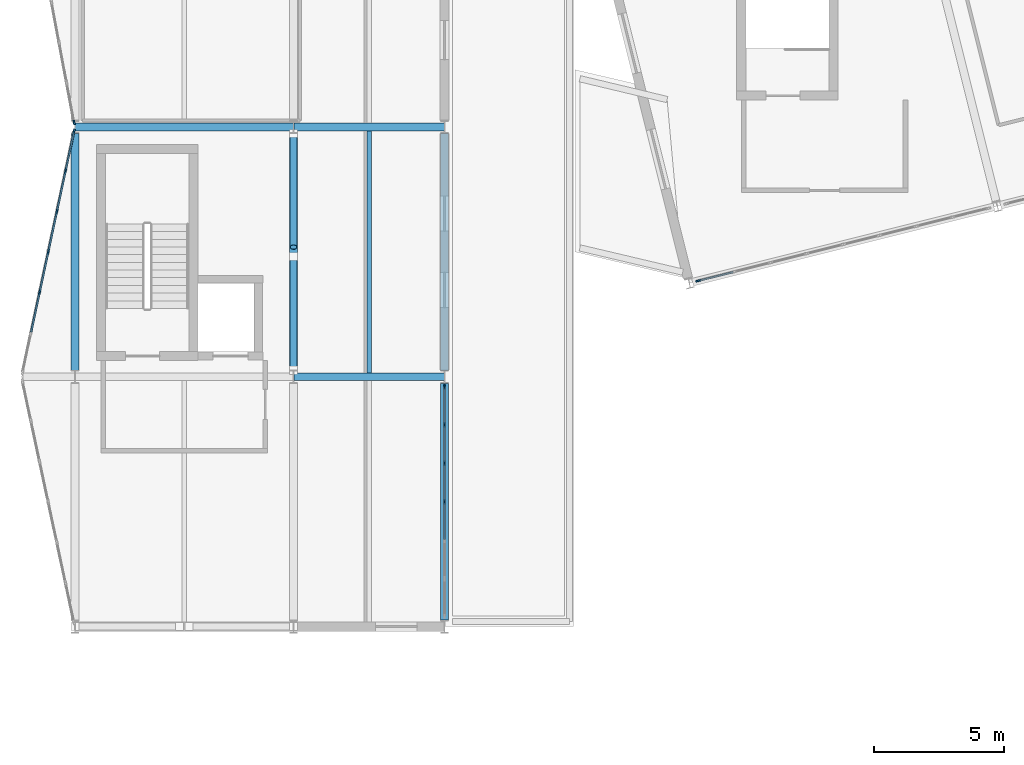
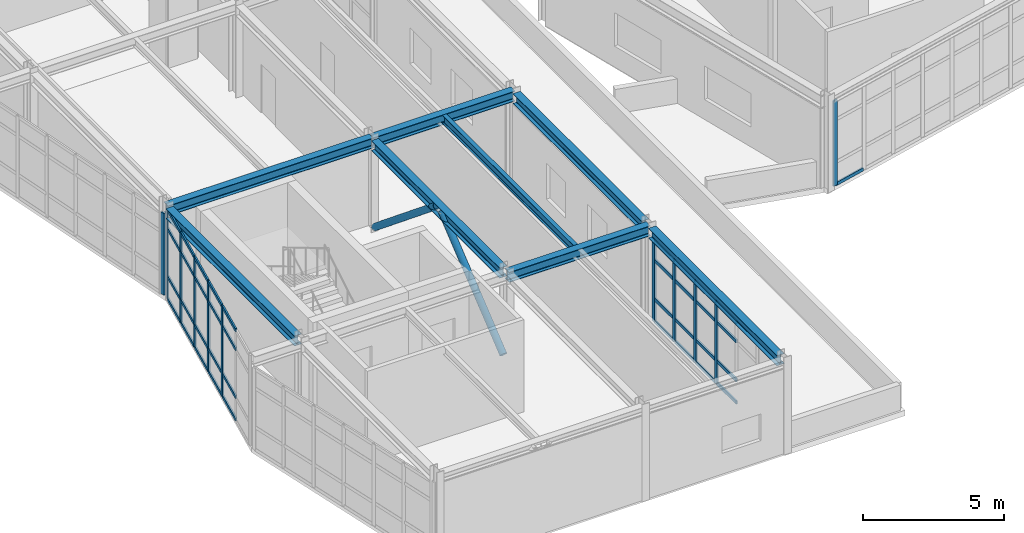
# One storey, part 11 of 64: 50 members, 8 beams, 4 elements without a shape of their own.
"""IFC4 building model written with IfcOpenShell, lengths in metres."""

from ifc_helpers import new_model, si_unit, direction, frame, origin, origin_2d, place, context, subcontext, project, spatial, rectangle, hollow_circle, i_section, extrude, material, layer, layer_set, material_profile, profile_set, type_object, element, aggregate, save


model = new_model("IFC4")

# Units and contexts
model_context = context("Model", 3, precision=1e-05, world=origin(), true_north=direction((0.0, 1.0)))
body_context = subcontext(model_context, "Body", "Model", "MODEL_VIEW")
ifc_project = project(units=[si_unit("LENGTHUNIT", "METRE"), si_unit("AREAUNIT", "SQUARE_METRE"), si_unit("VOLUMEUNIT", "CUBIC_METRE"), si_unit("PLANEANGLEUNIT", "RADIAN"), si_unit("MASSUNIT", "GRAM", prefix="KILO")], contexts=[model_context])

# Site, building, storey
site_placement = place(None, origin())
site = spatial("IfcSite", under=ifc_project, at=site_placement, CompositionType="ELEMENT")
building_placement = place(site_placement, origin())
building = spatial("IfcBuilding", under=site, at=building_placement, Name="Nordkorset Police Headquarters", CompositionType="ELEMENT")
storey_placement = place(building_placement, frame((0.0, 0.0, 17.85009765625)))
storey = spatial("IfcBuildingStorey", under=building, at=storey_placement, Name="L04", CompositionType="ELEMENT", Elevation=17.85009765625)

# Beam
ifc_material_1 = material(Name="Steel S355J2", Category="steel")
ifc_material_profile_1 = material_profile(ifc_material_1, i_section(OverallWidth=0.169921875, OverallDepth=0.360107421875, WebThickness=0.008056640625, FlangeThickness=0.0126953125, FilletRadius=0.01806640625, at=origin_2d()), Name="IPE 360")
ifc_profile_set_1 = profile_set([ifc_material_profile_1], Name="Steel S355J2")
beam_type_1 = type_object("IfcBeamType", Name="Beam_IPE_360", PredefinedType="BEAM", material=ifc_profile_set_1)
beam_1_placement = place(storey_placement, frame((11.300048828125, 38.550048828125, 3.809814453125), z_axis=(0.0, 1.0, 0.0), x_axis=(-1.0, 0.0, 0.0)))
element("IfcBeam", 1, at=beam_1_placement, inside=storey, type_object=beam_type_1, Name="Composite Floor Beam V3 L04 1-1-1", PredefinedType="BEAM", context=body_context, shape_type="SweptSolid", body=[
    extrude(i_section(OverallWidth=0.169921875, OverallDepth=0.360107421875, WebThickness=0.008056640625, FlangeThickness=0.0126953125, FilletRadius=0.01806640625, at=origin_2d()), origin(), (0.0, 0.0, 1.0), 9.300048828125),
])

# Members
ifc_material_2 = material(Name="Steel S355J2", Category="steel")
ifc_material_profile_2 = material_profile(ifc_material_2, hollow_circle(Radius=0.136474609375, WallThickness=0.012451171875, at=origin_2d()), Name="CHS 273x12.5")
ifc_profile_set_2 = profile_set([ifc_material_profile_2], Name="Steel S355J2")
member_type_1 = type_object("IfcMemberType", Name="Brace_CHS_273x12.5", PredefinedType="BRACE", material=ifc_profile_set_2)
for number, where, z_axis, x_axis, name in (
    (2, (8.39990234375, 38.64990234375, 0.199951171875), (0.0, 0.774433203284, 0.632655683331), (-1.0, 0.0, 0.0), "Lateral Chevron Brace BF-V3-A L04 D1"),
    (3, (8.39990234375, 47.75, 0.199951171875), (0.0, -0.774433203284, 0.632655683331), (1.0, 0.0, 0.0), "Lateral Chevron Brace BF-V3-A L04 D2"),
):
    element("IfcMember", number, at=place(storey_placement, frame(where, z_axis=z_axis, x_axis=x_axis)), inside=storey, type_object=member_type_1, Name=name, PredefinedType="BRACE", context=body_context, shape_type="SweptSolid", body=[
        extrude(hollow_circle(Radius=0.136474609375, WallThickness=0.012451171875, at=origin_2d()), origin(), (0.0, 0.0, 1.0), 5.64306640625),
    ])

# Curtain wall, members
ifc_material_3 = material(Name="Aluminium alloy AW-6060", Category="aluminium")
ifc_layer_1 = layer(ifc_material_3, 0.179931640625, Name="Aluminium alloy AW-6060")
ifc_layer_set_1 = layer_set([ifc_layer_1], Name="Aluminium alloy AW-6060")
curtain_wall_type_1 = type_object("IfcCurtainWallType", Name="CW_Unit_888x353", PredefinedType="USERDEFINED", material=ifc_layer_set_1)
curtain_wall_1_placement = place(storey_placement, origin())
curtain_wall_1 = element("IfcCurtainWall", 4, at=curtain_wall_1_placement, inside=storey, type_object=curtain_wall_type_1, Name="Unitised Curtain Wall L04 V3E-0", ObjectType="UNITISED CURTAIN WALL", PredefinedType="USERDEFINED")
ifc_material_4 = material(Name="Aluminium alloy AW-6060", Category="aluminium")
ifc_material_profile_3 = material_profile(ifc_material_4, rectangle(XDim=0.06494140625, YDim=0.179931640625, at=origin_2d()), Name="ALU MULL 65x180")
ifc_profile_set_3 = profile_set([ifc_material_profile_3], Name="Aluminium alloy AW-6060")
member_type_2 = type_object("IfcMemberType", Name="CW_Mullion_65x180", PredefinedType="MULLION", material=ifc_profile_set_3)
member_1_placement = place(storey_placement, frame((14.199951171875, 33.60009765625, 0.0), z_axis=(0.0, 0.0, 1.0), x_axis=(-1.0, 0.0, 0.0)))
member_1 = element("IfcMember", 5, at=member_1_placement, type_object=member_type_2, Name="CW-52 mullion 4", PredefinedType="MULLION", context=body_context, shape_type="SweptSolid", body=[
    extrude(rectangle(XDim=0.06494140625, YDim=0.179931640625, at=origin_2d()), origin(), (0.0, 0.0, 1.0), 3.52978515625),
])
member_2_placement = place(storey_placement, frame((14.199951171875, 35.080078125, 0.0), z_axis=(0.0, 0.0, 1.0), x_axis=(-1.0, 0.0, 0.0)))
member_2 = element("IfcMember", 6, at=member_2_placement, type_object=member_type_2, Name="CW-52 mullion 5", PredefinedType="MULLION", context=body_context, shape_type="SweptSolid", body=[
    extrude(rectangle(XDim=0.06494140625, YDim=0.179931640625, at=origin_2d()), origin(), (0.0, 0.0, 1.0), 3.52978515625),
])
member_3_placement = place(storey_placement, frame((14.199951171875, 36.56005859375, 0.0), z_axis=(0.0, 0.0, 1.0), x_axis=(-1.0, 0.0, 0.0)))
member_3 = element("IfcMember", 7, at=member_3_placement, type_object=member_type_2, Name="CW-52 mullion 6", PredefinedType="MULLION", context=body_context, shape_type="SweptSolid", body=[
    extrude(rectangle(XDim=0.06494140625, YDim=0.179931640625, at=origin_2d()), origin(), (0.0, 0.0, 1.0), 3.52978515625),
])
member_4_placement = place(storey_placement, frame((14.199951171875, 38.007568359375, 0.0), z_axis=(0.0, 0.0, 1.0), x_axis=(-1.0, 0.0, 0.0)))
member_4 = element("IfcMember", 8, at=member_4_placement, type_object=member_type_2, Name="CW-52 mullion 7", PredefinedType="MULLION", context=body_context, shape_type="SweptSolid", body=[
    extrude(rectangle(XDim=0.06494140625, YDim=0.179931640625, at=origin_2d()), origin(), (0.0, 0.0, 1.0), 3.52978515625),
])

ifc_material_5 = material(Name="Aluminium alloy AW-6060", Category="aluminium")
ifc_layer_2 = layer(ifc_material_5, 0.179931640625, Name="Aluminium alloy AW-6060")
ifc_layer_set_2 = layer_set([ifc_layer_2], Name="Aluminium alloy AW-6060")
curtain_wall_type_2 = type_object("IfcCurtainWallType", Name="CW_Unit_954x392", PredefinedType="USERDEFINED", material=ifc_layer_set_2)
curtain_wall_2_placement = place(storey_placement, origin())
curtain_wall_2 = element("IfcCurtainWall", 9, at=curtain_wall_2_placement, inside=storey, type_object=curtain_wall_type_2, Name="Unitised Curtain Wall L04 V3W-1", ObjectType="UNITISED CURTAIN WALL", PredefinedType="USERDEFINED")
member_5_placement = place(storey_placement, frame((-1.35693359375, 41.645751953125, 0.0), z_axis=(0.0, 0.0, 1.0), x_axis=(-0.977951416289, 0.208832534289, 0.0)))
member_5 = element("IfcMember", 10, at=member_5_placement, type_object=member_type_2, Name="CW-20 mullion 3", PredefinedType="MULLION", context=body_context, shape_type="SweptSolid", body=[
    extrude(rectangle(XDim=0.06494140625, YDim=0.179931640625, at=origin_2d()), origin(), (0.0, 0.0, 1.0), 3.919921875),
])
member_6_placement = place(storey_placement, frame((-1.02490234375, 43.199951171875, 0.0), z_axis=(0.0, 0.0, 1.0), x_axis=(-0.977951416289, 0.208832534289, 0.0)))
member_6 = element("IfcMember", 11, at=member_6_placement, type_object=member_type_2, Name="CW-20 mullion 4", PredefinedType="MULLION", context=body_context, shape_type="SweptSolid", body=[
    extrude(rectangle(XDim=0.06494140625, YDim=0.179931640625, at=origin_2d()), origin(), (0.0, 0.0, 1.0), 3.919921875),
])
member_7_placement = place(storey_placement, frame((-0.693115234375, 44.75439453125, 0.0), z_axis=(0.0, 0.0, 1.0), x_axis=(-0.977951416289, 0.208832534289, 0.0)))
member_7 = element("IfcMember", 12, at=member_7_placement, type_object=member_type_2, Name="CW-20 mullion 5", PredefinedType="MULLION", context=body_context, shape_type="SweptSolid", body=[
    extrude(rectangle(XDim=0.06494140625, YDim=0.179931640625, at=origin_2d()), origin(), (0.0, 0.0, 1.0), 3.919921875),
])
member_8_placement = place(storey_placement, frame((-0.361083984375, 46.308837890625, 0.0), z_axis=(0.0, 0.0, 1.0), x_axis=(-0.977951416289, 0.208832534289, 0.0)))
member_8 = element("IfcMember", 13, at=member_8_placement, type_object=member_type_2, Name="CW-20 mullion 6", PredefinedType="MULLION", context=body_context, shape_type="SweptSolid", body=[
    extrude(rectangle(XDim=0.06494140625, YDim=0.179931640625, at=origin_2d()), origin(), (0.0, 0.0, 1.0), 3.919921875),
])
member_9_placement = place(storey_placement, frame((-0.0361328125, 47.831298828125, 0.0), z_axis=(0.0, 0.0, 1.0), x_axis=(-0.977951416289, 0.208832534289, 0.0)))
member_9 = element("IfcMember", 14, at=member_9_placement, type_object=member_type_2, Name="CW-20 mullion 7", PredefinedType="MULLION", context=body_context, shape_type="SweptSolid", body=[
    extrude(rectangle(XDim=0.06494140625, YDim=0.179931640625, at=origin_2d()), origin(), (0.0, 0.0, 1.0), 3.919921875),
])

# Curtain wall, member
ifc_material_6 = material(Name="Aluminium alloy AW-6060", Category="aluminium")
ifc_layer_3 = layer(ifc_material_6, 0.179931640625, Name="Aluminium alloy AW-6060")
ifc_layer_set_3 = layer_set([ifc_layer_3], Name="Aluminium alloy AW-6060")
curtain_wall_type_3 = type_object("IfcCurtainWallType", Name="CW_Unit_949x353", PredefinedType="USERDEFINED", material=ifc_layer_set_3)
curtain_wall_3_placement = place(storey_placement, origin())
curtain_wall_3 = element("IfcCurtainWall", 15, at=curtain_wall_3_placement, inside=storey, type_object=curtain_wall_type_3, Name="Unitised Curtain Wall L04 V3W-2", ObjectType="UNITISED CURTAIN WALL", PredefinedType="USERDEFINED")
member_10_placement = place(storey_placement, frame((-0.03173828125, 48.16943359375, 0.0), z_axis=(0.0, 0.0, 1.0), x_axis=(-0.982872186935, -0.184288535048, 0.0)))
member_10 = element("IfcMember", 16, at=member_10_placement, type_object=member_type_2, Name="CW-13 mullion 1", PredefinedType="MULLION", context=body_context, shape_type="SweptSolid", body=[
    extrude(rectangle(XDim=0.06494140625, YDim=0.179931640625, at=origin_2d()), origin(), (0.0, 0.0, 1.0), 3.52978515625),
])
aggregate(curtain_wall_3, [member_10])

ifc_material_7 = material(Name="Aluminium alloy AW-6060", Category="aluminium")
ifc_layer_4 = layer(ifc_material_7, 0.179931640625, Name="Aluminium alloy AW-6060")
ifc_layer_set_4 = layer_set([ifc_layer_4], Name="Aluminium alloy AW-6060")
curtain_wall_type_4 = type_object("IfcCurtainWallType", Name="CW_Unit_1156x369", PredefinedType="USERDEFINED", material=ifc_layer_set_4)
curtain_wall_4_placement = place(storey_placement, origin())
curtain_wall_4 = element("IfcCurtainWall", 17, at=curtain_wall_4_placement, inside=storey, type_object=curtain_wall_type_4, Name="Unitised Curtain Wall L04 V4S-0", ObjectType="UNITISED CURTAIN WALL", PredefinedType="USERDEFINED")
member_11_placement = place(storey_placement, frame((23.94189453125, 42.08544921875, 0.0), z_axis=(0.0, 0.0, 1.0), x_axis=(-0.242535625038, 0.970142500145, 0.0)))
member_11 = element("IfcMember", 18, at=member_11_placement, type_object=member_type_2, Name="CW-06 mullion 1", PredefinedType="MULLION", context=body_context, shape_type="SweptSolid", body=[
    extrude(rectangle(XDim=0.06494140625, YDim=0.179931640625, at=origin_2d()), origin(), (0.0, 0.0, 1.0), 3.69091796875),
])

# Member
ifc_material_8 = material(Name="Aluminium alloy AW-6060", Category="aluminium")
ifc_material_profile_4 = material_profile(ifc_material_8, rectangle(XDim=0.06494140625, YDim=0.139892578125, at=origin_2d()), Name="ALU TRAN 65x140")
ifc_profile_set_4 = profile_set([ifc_material_profile_4], Name="Aluminium alloy AW-6060")
member_type_3 = type_object("IfcMemberType", Name="CW_Transom_65x140", PredefinedType="USERDEFINED", material=ifc_profile_set_4)
member_12_placement = place(storey_placement, frame((14.199951171875, 32.152587890625, 0.032470703125), z_axis=(0.0, 1.0, 0.0), x_axis=(-1.0, 0.0, 0.0)))
member_12 = element("IfcMember", 19, at=member_12_placement, type_object=member_type_3, Name="CW-52 transom 3.1", ObjectType="TRANSOM", PredefinedType="USERDEFINED", context=body_context, shape_type="SweptSolid", body=[
    extrude(rectangle(XDim=0.06494140625, YDim=0.139892578125, at=origin_2d()), origin(), (0.0, 0.0, 1.0), 1.414794921875),
])

member_13_placement = place(storey_placement, frame((14.199951171875, 32.152587890625, 1.0), z_axis=(0.0, 1.0, 0.0), x_axis=(-1.0, 0.0, 0.0)))
member_13 = element("IfcMember", 20, at=member_13_placement, type_object=member_type_3, Name="CW-52 transom 3.2", ObjectType="TRANSOM", PredefinedType="USERDEFINED", context=body_context, shape_type="SweptSolid", body=[
    extrude(rectangle(XDim=0.06494140625, YDim=0.139892578125, at=origin_2d()), origin(), (0.0, 0.0, 1.0), 1.414794921875),
])

member_14_placement = place(storey_placement, frame((14.199951171875, 32.152587890625, 2.679931640625), z_axis=(0.0, 1.0, 0.0), x_axis=(-1.0, 0.0, 0.0)))
member_14 = element("IfcMember", 21, at=member_14_placement, type_object=member_type_3, Name="CW-52 transom 3.3", ObjectType="TRANSOM", PredefinedType="USERDEFINED", context=body_context, shape_type="SweptSolid", body=[
    extrude(rectangle(XDim=0.06494140625, YDim=0.139892578125, at=origin_2d()), origin(), (0.0, 0.0, 1.0), 1.414794921875),
])

member_15_placement = place(storey_placement, frame((14.199951171875, 32.152587890625, 3.497314453125), z_axis=(0.0, 1.0, 0.0), x_axis=(-1.0, 0.0, 0.0)))
member_15 = element("IfcMember", 22, at=member_15_placement, type_object=member_type_3, Name="CW-52 transom 3.4", ObjectType="TRANSOM", PredefinedType="USERDEFINED", context=body_context, shape_type="SweptSolid", body=[
    extrude(rectangle(XDim=0.06494140625, YDim=0.139892578125, at=origin_2d()), origin(), (0.0, 0.0, 1.0), 1.414794921875),
])

member_16_placement = place(storey_placement, frame((14.199951171875, 33.632568359375, 0.032470703125), z_axis=(0.0, 1.0, 0.0), x_axis=(-1.0, 0.0, 0.0)))
member_16 = element("IfcMember", 23, at=member_16_placement, type_object=member_type_3, Name="CW-52 transom 4.1", ObjectType="TRANSOM", PredefinedType="USERDEFINED", context=body_context, shape_type="SweptSolid", body=[
    extrude(rectangle(XDim=0.06494140625, YDim=0.139892578125, at=origin_2d()), origin(), (0.0, 0.0, 1.0), 1.4150390625),
])

member_17_placement = place(storey_placement, frame((14.199951171875, 33.632568359375, 1.0), z_axis=(0.0, 1.0, 0.0), x_axis=(-1.0, 0.0, 0.0)))
member_17 = element("IfcMember", 24, at=member_17_placement, type_object=member_type_3, Name="CW-52 transom 4.2", ObjectType="TRANSOM", PredefinedType="USERDEFINED", context=body_context, shape_type="SweptSolid", body=[
    extrude(rectangle(XDim=0.06494140625, YDim=0.139892578125, at=origin_2d()), origin(), (0.0, 0.0, 1.0), 1.4150390625),
])

member_18_placement = place(storey_placement, frame((14.199951171875, 33.632568359375, 2.679931640625), z_axis=(0.0, 1.0, 0.0), x_axis=(-1.0, 0.0, 0.0)))
member_18 = element("IfcMember", 25, at=member_18_placement, type_object=member_type_3, Name="CW-52 transom 4.3", ObjectType="TRANSOM", PredefinedType="USERDEFINED", context=body_context, shape_type="SweptSolid", body=[
    extrude(rectangle(XDim=0.06494140625, YDim=0.139892578125, at=origin_2d()), origin(), (0.0, 0.0, 1.0), 1.4150390625),
])

member_19_placement = place(storey_placement, frame((14.199951171875, 33.632568359375, 3.497314453125), z_axis=(0.0, 1.0, 0.0), x_axis=(-1.0, 0.0, 0.0)))
member_19 = element("IfcMember", 26, at=member_19_placement, type_object=member_type_3, Name="CW-52 transom 4.4", ObjectType="TRANSOM", PredefinedType="USERDEFINED", context=body_context, shape_type="SweptSolid", body=[
    extrude(rectangle(XDim=0.06494140625, YDim=0.139892578125, at=origin_2d()), origin(), (0.0, 0.0, 1.0), 1.4150390625),
])

member_20_placement = place(storey_placement, frame((14.199951171875, 35.112548828125, 0.032470703125), z_axis=(0.0, 1.0, 0.0), x_axis=(-1.0, 0.0, 0.0)))
member_20 = element("IfcMember", 27, at=member_20_placement, type_object=member_type_3, Name="CW-52 transom 5.1", ObjectType="TRANSOM", PredefinedType="USERDEFINED", context=body_context, shape_type="SweptSolid", body=[
    extrude(rectangle(XDim=0.06494140625, YDim=0.139892578125, at=origin_2d()), origin(), (0.0, 0.0, 1.0), 1.4150390625),
])

member_21_placement = place(storey_placement, frame((14.199951171875, 35.112548828125, 1.0), z_axis=(0.0, 1.0, 0.0), x_axis=(-1.0, 0.0, 0.0)))
member_21 = element("IfcMember", 28, at=member_21_placement, type_object=member_type_3, Name="CW-52 transom 5.2", ObjectType="TRANSOM", PredefinedType="USERDEFINED", context=body_context, shape_type="SweptSolid", body=[
    extrude(rectangle(XDim=0.06494140625, YDim=0.139892578125, at=origin_2d()), origin(), (0.0, 0.0, 1.0), 1.4150390625),
])

member_22_placement = place(storey_placement, frame((14.199951171875, 35.112548828125, 2.679931640625), z_axis=(0.0, 1.0, 0.0), x_axis=(-1.0, 0.0, 0.0)))
member_22 = element("IfcMember", 29, at=member_22_placement, type_object=member_type_3, Name="CW-52 transom 5.3", ObjectType="TRANSOM", PredefinedType="USERDEFINED", context=body_context, shape_type="SweptSolid", body=[
    extrude(rectangle(XDim=0.06494140625, YDim=0.139892578125, at=origin_2d()), origin(), (0.0, 0.0, 1.0), 1.4150390625),
])

member_23_placement = place(storey_placement, frame((14.199951171875, 35.112548828125, 3.497314453125), z_axis=(0.0, 1.0, 0.0), x_axis=(-1.0, 0.0, 0.0)))
member_23 = element("IfcMember", 30, at=member_23_placement, type_object=member_type_3, Name="CW-52 transom 5.4", ObjectType="TRANSOM", PredefinedType="USERDEFINED", context=body_context, shape_type="SweptSolid", body=[
    extrude(rectangle(XDim=0.06494140625, YDim=0.139892578125, at=origin_2d()), origin(), (0.0, 0.0, 1.0), 1.4150390625),
])

member_24_placement = place(storey_placement, frame((14.199951171875, 36.592529296875, 0.032470703125), z_axis=(0.0, 1.0, 0.0), x_axis=(-1.0, 0.0, 0.0)))
member_24 = element("IfcMember", 31, at=member_24_placement, type_object=member_type_3, Name="CW-52 transom 6.1", ObjectType="TRANSOM", PredefinedType="USERDEFINED", context=body_context, shape_type="SweptSolid", body=[
    extrude(rectangle(XDim=0.06494140625, YDim=0.139892578125, at=origin_2d()), origin(), (0.0, 0.0, 1.0), 1.382568359375),
])

member_25_placement = place(storey_placement, frame((14.199951171875, 36.592529296875, 1.0), z_axis=(0.0, 1.0, 0.0), x_axis=(-1.0, 0.0, 0.0)))
member_25 = element("IfcMember", 32, at=member_25_placement, type_object=member_type_3, Name="CW-52 transom 6.2", ObjectType="TRANSOM", PredefinedType="USERDEFINED", context=body_context, shape_type="SweptSolid", body=[
    extrude(rectangle(XDim=0.06494140625, YDim=0.139892578125, at=origin_2d()), origin(), (0.0, 0.0, 1.0), 1.382568359375),
])

member_26_placement = place(storey_placement, frame((14.199951171875, 36.592529296875, 2.679931640625), z_axis=(0.0, 1.0, 0.0), x_axis=(-1.0, 0.0, 0.0)))
member_26 = element("IfcMember", 33, at=member_26_placement, type_object=member_type_3, Name="CW-52 transom 6.3", ObjectType="TRANSOM", PredefinedType="USERDEFINED", context=body_context, shape_type="SweptSolid", body=[
    extrude(rectangle(XDim=0.06494140625, YDim=0.139892578125, at=origin_2d()), origin(), (0.0, 0.0, 1.0), 1.382568359375),
])

member_27_placement = place(storey_placement, frame((14.199951171875, 36.592529296875, 3.497314453125), z_axis=(0.0, 1.0, 0.0), x_axis=(-1.0, 0.0, 0.0)))
member_27 = element("IfcMember", 34, at=member_27_placement, type_object=member_type_3, Name="CW-52 transom 6.4", ObjectType="TRANSOM", PredefinedType="USERDEFINED", context=body_context, shape_type="SweptSolid", body=[
    extrude(rectangle(XDim=0.06494140625, YDim=0.139892578125, at=origin_2d()), origin(), (0.0, 0.0, 1.0), 1.382568359375),
])

aggregate(curtain_wall_1, [member_1, member_2, member_3, member_4, member_12, member_13, member_14, member_15, member_16, member_17, member_18, member_19, member_20, member_21, member_22, member_23, member_24, member_25, member_26, member_27])

member_28_placement = place(storey_placement, frame((-1.68212890625, 40.123046875, 0.032470703125), z_axis=(0.208850890154, 0.977947496383, 0.0), x_axis=(-0.977947496383, 0.208850890154, 0.0)))
member_28 = element("IfcMember", 35, at=member_28_placement, type_object=member_type_3, Name="CW-20 transom 2.1", ObjectType="TRANSOM", PredefinedType="USERDEFINED", context=body_context, shape_type="SweptSolid", body=[
    extrude(rectangle(XDim=0.06494140625, YDim=0.139892578125, at=origin_2d()), origin(), (0.0, 0.0, 1.0), 1.5244140625),
])

member_29_placement = place(storey_placement, frame((-1.68212890625, 40.123046875, 1.0), z_axis=(0.208850890154, 0.977947496383, 0.0), x_axis=(-0.977947496383, 0.208850890154, 0.0)))
member_29 = element("IfcMember", 36, at=member_29_placement, type_object=member_type_3, Name="CW-20 transom 2.2", ObjectType="TRANSOM", PredefinedType="USERDEFINED", context=body_context, shape_type="SweptSolid", body=[
    extrude(rectangle(XDim=0.06494140625, YDim=0.139892578125, at=origin_2d()), origin(), (0.0, 0.0, 1.0), 1.5244140625),
])

member_30_placement = place(storey_placement, frame((-1.68212890625, 40.123046875, 3.06982421875), z_axis=(0.208850890154, 0.977947496383, 0.0), x_axis=(-0.977947496383, 0.208850890154, 0.0)))
member_30 = element("IfcMember", 37, at=member_30_placement, type_object=member_type_3, Name="CW-20 transom 2.3", ObjectType="TRANSOM", PredefinedType="USERDEFINED", context=body_context, shape_type="SweptSolid", body=[
    extrude(rectangle(XDim=0.06494140625, YDim=0.139892578125, at=origin_2d()), origin(), (0.0, 0.0, 1.0), 1.5244140625),
])

member_31_placement = place(storey_placement, frame((-1.68212890625, 40.123046875, 3.887451171875), z_axis=(0.208850890154, 0.977947496383, 0.0), x_axis=(-0.977947496383, 0.208850890154, 0.0)))
member_31 = element("IfcMember", 38, at=member_31_placement, type_object=member_type_3, Name="CW-20 transom 2.4", ObjectType="TRANSOM", PredefinedType="USERDEFINED", context=body_context, shape_type="SweptSolid", body=[
    extrude(rectangle(XDim=0.06494140625, YDim=0.139892578125, at=origin_2d()), origin(), (0.0, 0.0, 1.0), 1.5244140625),
])

member_32_placement = place(storey_placement, frame((-1.35009765625, 41.677490234375, 0.032470703125), z_axis=(0.208850890154, 0.977947496383, 0.0), x_axis=(-0.977947496383, 0.208850890154, 0.0)))
member_32 = element("IfcMember", 39, at=member_32_placement, type_object=member_type_3, Name="CW-20 transom 3.1", ObjectType="TRANSOM", PredefinedType="USERDEFINED", context=body_context, shape_type="SweptSolid", body=[
    extrude(rectangle(XDim=0.06494140625, YDim=0.139892578125, at=origin_2d()), origin(), (0.0, 0.0, 1.0), 1.5244140625),
])

member_33_placement = place(storey_placement, frame((-1.35009765625, 41.677490234375, 1.0), z_axis=(0.208850890154, 0.977947496383, 0.0), x_axis=(-0.977947496383, 0.208850890154, 0.0)))
member_33 = element("IfcMember", 40, at=member_33_placement, type_object=member_type_3, Name="CW-20 transom 3.2", ObjectType="TRANSOM", PredefinedType="USERDEFINED", context=body_context, shape_type="SweptSolid", body=[
    extrude(rectangle(XDim=0.06494140625, YDim=0.139892578125, at=origin_2d()), origin(), (0.0, 0.0, 1.0), 1.5244140625),
])

member_34_placement = place(storey_placement, frame((-1.35009765625, 41.677490234375, 3.06982421875), z_axis=(0.208850890154, 0.977947496383, 0.0), x_axis=(-0.977947496383, 0.208850890154, 0.0)))
member_34 = element("IfcMember", 41, at=member_34_placement, type_object=member_type_3, Name="CW-20 transom 3.3", ObjectType="TRANSOM", PredefinedType="USERDEFINED", context=body_context, shape_type="SweptSolid", body=[
    extrude(rectangle(XDim=0.06494140625, YDim=0.139892578125, at=origin_2d()), origin(), (0.0, 0.0, 1.0), 1.5244140625),
])

member_35_placement = place(storey_placement, frame((-1.35009765625, 41.677490234375, 3.887451171875), z_axis=(0.208850890154, 0.977947496383, 0.0), x_axis=(-0.977947496383, 0.208850890154, 0.0)))
member_35 = element("IfcMember", 42, at=member_35_placement, type_object=member_type_3, Name="CW-20 transom 3.4", ObjectType="TRANSOM", PredefinedType="USERDEFINED", context=body_context, shape_type="SweptSolid", body=[
    extrude(rectangle(XDim=0.06494140625, YDim=0.139892578125, at=origin_2d()), origin(), (0.0, 0.0, 1.0), 1.5244140625),
])

member_36_placement = place(storey_placement, frame((-1.018310546875, 43.231689453125, 0.032470703125), z_axis=(0.208818182896, 0.977954480787, 0.0), x_axis=(-0.977954480787, 0.208818182896, 0.0)))
member_36 = element("IfcMember", 43, at=member_36_placement, type_object=member_type_3, Name="CW-20 transom 4.1", ObjectType="TRANSOM", PredefinedType="USERDEFINED", context=body_context, shape_type="SweptSolid", body=[
    extrude(rectangle(XDim=0.06494140625, YDim=0.139892578125, at=origin_2d()), origin(), (0.0, 0.0, 1.0), 1.524658203125),
])

member_37_placement = place(storey_placement, frame((-1.018310546875, 43.231689453125, 1.0), z_axis=(0.208818182896, 0.977954480787, 0.0), x_axis=(-0.977954480787, 0.208818182896, 0.0)))
member_37 = element("IfcMember", 44, at=member_37_placement, type_object=member_type_3, Name="CW-20 transom 4.2", ObjectType="TRANSOM", PredefinedType="USERDEFINED", context=body_context, shape_type="SweptSolid", body=[
    extrude(rectangle(XDim=0.06494140625, YDim=0.139892578125, at=origin_2d()), origin(), (0.0, 0.0, 1.0), 1.524658203125),
])

member_38_placement = place(storey_placement, frame((-1.018310546875, 43.231689453125, 3.06982421875), z_axis=(0.208818182896, 0.977954480787, 0.0), x_axis=(-0.977954480787, 0.208818182896, 0.0)))
member_38 = element("IfcMember", 45, at=member_38_placement, type_object=member_type_3, Name="CW-20 transom 4.3", ObjectType="TRANSOM", PredefinedType="USERDEFINED", context=body_context, shape_type="SweptSolid", body=[
    extrude(rectangle(XDim=0.06494140625, YDim=0.139892578125, at=origin_2d()), origin(), (0.0, 0.0, 1.0), 1.524658203125),
])

member_39_placement = place(storey_placement, frame((-1.018310546875, 43.231689453125, 3.887451171875), z_axis=(0.208818182896, 0.977954480787, 0.0), x_axis=(-0.977954480787, 0.208818182896, 0.0)))
member_39 = element("IfcMember", 46, at=member_39_placement, type_object=member_type_3, Name="CW-20 transom 4.4", ObjectType="TRANSOM", PredefinedType="USERDEFINED", context=body_context, shape_type="SweptSolid", body=[
    extrude(rectangle(XDim=0.06494140625, YDim=0.139892578125, at=origin_2d()), origin(), (0.0, 0.0, 1.0), 1.524658203125),
])

member_40_placement = place(storey_placement, frame((-0.686279296875, 44.7861328125, 0.032470703125), z_axis=(0.208850890154, 0.977947496383, 0.0), x_axis=(-0.977947496383, 0.208850890154, 0.0)))
member_40 = element("IfcMember", 47, at=member_40_placement, type_object=member_type_3, Name="CW-20 transom 5.1", ObjectType="TRANSOM", PredefinedType="USERDEFINED", context=body_context, shape_type="SweptSolid", body=[
    extrude(rectangle(XDim=0.06494140625, YDim=0.139892578125, at=origin_2d()), origin(), (0.0, 0.0, 1.0), 1.5244140625),
])

member_41_placement = place(storey_placement, frame((-0.686279296875, 44.7861328125, 1.0), z_axis=(0.208850890154, 0.977947496383, 0.0), x_axis=(-0.977947496383, 0.208850890154, 0.0)))
member_41 = element("IfcMember", 48, at=member_41_placement, type_object=member_type_3, Name="CW-20 transom 5.2", ObjectType="TRANSOM", PredefinedType="USERDEFINED", context=body_context, shape_type="SweptSolid", body=[
    extrude(rectangle(XDim=0.06494140625, YDim=0.139892578125, at=origin_2d()), origin(), (0.0, 0.0, 1.0), 1.5244140625),
])

member_42_placement = place(storey_placement, frame((-0.686279296875, 44.7861328125, 3.06982421875), z_axis=(0.208850890154, 0.977947496383, 0.0), x_axis=(-0.977947496383, 0.208850890154, 0.0)))
member_42 = element("IfcMember", 49, at=member_42_placement, type_object=member_type_3, Name="CW-20 transom 5.3", ObjectType="TRANSOM", PredefinedType="USERDEFINED", context=body_context, shape_type="SweptSolid", body=[
    extrude(rectangle(XDim=0.06494140625, YDim=0.139892578125, at=origin_2d()), origin(), (0.0, 0.0, 1.0), 1.5244140625),
])

member_43_placement = place(storey_placement, frame((-0.686279296875, 44.7861328125, 3.887451171875), z_axis=(0.208850890154, 0.977947496383, 0.0), x_axis=(-0.977947496383, 0.208850890154, 0.0)))
member_43 = element("IfcMember", 50, at=member_43_placement, type_object=member_type_3, Name="CW-20 transom 5.4", ObjectType="TRANSOM", PredefinedType="USERDEFINED", context=body_context, shape_type="SweptSolid", body=[
    extrude(rectangle(XDim=0.06494140625, YDim=0.139892578125, at=origin_2d()), origin(), (0.0, 0.0, 1.0), 1.5244140625),
])

member_44_placement = place(storey_placement, frame((-0.3544921875, 46.340576171875, 0.032470703125), z_axis=(0.208970278443, 0.977921992148, 0.0), x_axis=(-0.977921992148, 0.208970278443, 0.0)))
member_44 = element("IfcMember", 51, at=member_44_placement, type_object=member_type_3, Name="CW-20 transom 6.1", ObjectType="TRANSOM", PredefinedType="USERDEFINED", context=body_context, shape_type="SweptSolid", body=[
    extrude(rectangle(XDim=0.06494140625, YDim=0.139892578125, at=origin_2d()), origin(), (0.0, 0.0, 1.0), 1.491943359375),
])

member_45_placement = place(storey_placement, frame((-0.3544921875, 46.340576171875, 1.0), z_axis=(0.208970278443, 0.977921992148, 0.0), x_axis=(-0.977921992148, 0.208970278443, 0.0)))
member_45 = element("IfcMember", 52, at=member_45_placement, type_object=member_type_3, Name="CW-20 transom 6.2", ObjectType="TRANSOM", PredefinedType="USERDEFINED", context=body_context, shape_type="SweptSolid", body=[
    extrude(rectangle(XDim=0.06494140625, YDim=0.139892578125, at=origin_2d()), origin(), (0.0, 0.0, 1.0), 1.491943359375),
])

member_46_placement = place(storey_placement, frame((-0.3544921875, 46.340576171875, 3.06982421875), z_axis=(0.208970278443, 0.977921992148, 0.0), x_axis=(-0.977921992148, 0.208970278443, 0.0)))
member_46 = element("IfcMember", 53, at=member_46_placement, type_object=member_type_3, Name="CW-20 transom 6.3", ObjectType="TRANSOM", PredefinedType="USERDEFINED", context=body_context, shape_type="SweptSolid", body=[
    extrude(rectangle(XDim=0.06494140625, YDim=0.139892578125, at=origin_2d()), origin(), (0.0, 0.0, 1.0), 1.491943359375),
])

member_47_placement = place(storey_placement, frame((-0.3544921875, 46.340576171875, 3.887451171875), z_axis=(0.208970278443, 0.977921992148, 0.0), x_axis=(-0.977921992148, 0.208970278443, 0.0)))
member_47 = element("IfcMember", 54, at=member_47_placement, type_object=member_type_3, Name="CW-20 transom 6.4", ObjectType="TRANSOM", PredefinedType="USERDEFINED", context=body_context, shape_type="SweptSolid", body=[
    extrude(rectangle(XDim=0.06494140625, YDim=0.139892578125, at=origin_2d()), origin(), (0.0, 0.0, 1.0), 1.491943359375),
])

aggregate(curtain_wall_2, [member_5, member_6, member_7, member_8, member_9, member_28, member_29, member_30, member_31, member_32, member_33, member_34, member_35, member_36, member_37, member_38, member_39, member_40, member_41, member_42, member_43, member_44, member_45, member_46, member_47])

member_48_placement = place(storey_placement, frame((23.973388671875, 42.09326171875, 0.032470703125), z_axis=(0.970131842518, 0.242578251565, 0.0), x_axis=(-0.242578251565, 0.970131842518, 0.0)))
member_48 = element("IfcMember", 55, at=member_48_placement, type_object=member_type_3, Name="CW-06 transom 1.1", ObjectType="TRANSOM", PredefinedType="USERDEFINED", context=body_context, shape_type="SweptSolid", body=[
    extrude(rectangle(XDim=0.06494140625, YDim=0.139892578125, at=origin_2d()), origin(), (0.0, 0.0, 1.0), 1.34765625),
])

aggregate(curtain_wall_4, [member_11, member_48])

# Beams
ifc_material_9 = material(Name="Steel S355J2", Category="steel")
ifc_material_profile_5 = material_profile(ifc_material_9, i_section(OverallWidth=0.300048828125, OverallDepth=0.43994140625, WebThickness=0.011474609375, FlangeThickness=0.02099609375, FilletRadius=0.027099609375, at=origin_2d()), Name="HEA 450")
ifc_profile_set_5 = profile_set([ifc_material_profile_5], Name="Steel S355J2")
beam_type_2 = type_object("IfcBeamType", Name="Girder_HEA_450", PredefinedType="USERDEFINED", material=ifc_profile_set_5)
beam_2_placement = place(storey_placement, frame((8.4072265625, 38.39990234375, 3.77001953125), z_axis=(1.0, 0.0, 0.0), x_axis=(0.0, 1.0, 0.0)))
element("IfcBeam", 56, at=beam_2_placement, inside=storey, type_object=beam_type_2, Name="Girder V3 L04 GX-1-1", ObjectType="GIRDER", PredefinedType="USERDEFINED", context=body_context, shape_type="SweptSolid", body=[
    extrude(i_section(OverallWidth=0.300048828125, OverallDepth=0.43994140625, WebThickness=0.011474609375, FlangeThickness=0.02099609375, FilletRadius=0.027099609375, at=origin_2d()), origin(), (0.0, 0.0, 1.0), 5.785400390625),
])
beam_3_placement = place(storey_placement, frame((0.00732421875, 48.0, 3.77001953125), z_axis=(1.0, 0.0, 0.0), x_axis=(0.0, 1.0, 0.0)))
element("IfcBeam", 57, at=beam_3_placement, inside=storey, type_object=beam_type_2, Name="Girder V3 L04 GX-2-0", ObjectType="GIRDER", PredefinedType="USERDEFINED", context=body_context, shape_type="SweptSolid", body=[
    extrude(i_section(OverallWidth=0.300048828125, OverallDepth=0.43994140625, WebThickness=0.011474609375, FlangeThickness=0.02099609375, FilletRadius=0.027099609375, at=origin_2d()), origin(), (0.0, 0.0, 1.0), 8.38525390625),
])
beam_4_placement = place(storey_placement, frame((8.4072265625, 48.0, 3.77001953125), z_axis=(1.0, 0.0, 0.0), x_axis=(0.0, 1.0, 0.0)))
element("IfcBeam", 58, at=beam_4_placement, inside=storey, type_object=beam_type_2, Name="Girder V3 L04 GX-2-1", ObjectType="GIRDER", PredefinedType="USERDEFINED", context=body_context, shape_type="SweptSolid", body=[
    extrude(i_section(OverallWidth=0.300048828125, OverallDepth=0.43994140625, WebThickness=0.011474609375, FlangeThickness=0.02099609375, FilletRadius=0.027099609375, at=origin_2d()), origin(), (0.0, 0.0, 1.0), 5.785400390625),
])
for number, where, z_axis, x_axis, name in (
    (59, (0.0, 38.64990234375, 3.77001953125), (0.0, 1.0, 0.0), (-1.0, 0.0, 0.0), "Girder V3 L04 GY-0-1"),
    (60, (8.39990234375, 38.64990234375, 3.77001953125), (0.0, 1.0, 0.0), (-1.0, 0.0, 0.0), "Girder V3 L04 GY-1-1"),
):
    element("IfcBeam", number, at=place(storey_placement, frame(where, z_axis=z_axis, x_axis=x_axis)), inside=storey, type_object=beam_type_2, Name=name, ObjectType="GIRDER", PredefinedType="USERDEFINED", context=body_context, shape_type="SweptSolid", body=[
        extrude(i_section(OverallWidth=0.300048828125, OverallDepth=0.43994140625, WebThickness=0.011474609375, FlangeThickness=0.02099609375, FilletRadius=0.027099609375, at=origin_2d()), origin(), (0.0, 0.0, 1.0), 9.10009765625),
    ])
beam_5_placement = place(storey_placement, frame((14.199951171875, 29.050048828125, 3.77001953125), z_axis=(0.0, 1.0, 0.0), x_axis=(-1.0, 0.0, 0.0)))
element("IfcBeam", 61, at=beam_5_placement, inside=storey, type_object=beam_type_2, Name="Girder V3 L04 GY-2-0", ObjectType="GIRDER", PredefinedType="USERDEFINED", context=body_context, shape_type="SweptSolid", body=[
    extrude(i_section(OverallWidth=0.300048828125, OverallDepth=0.43994140625, WebThickness=0.011474609375, FlangeThickness=0.02099609375, FilletRadius=0.027099609375, at=origin_2d()), origin(), (0.0, 0.0, 1.0), 9.099853515625),
])
beam_6_placement = place(storey_placement, frame((14.199951171875, 38.64990234375, 3.77001953125), z_axis=(0.0, 1.0, 0.0), x_axis=(-1.0, 0.0, 0.0)))
element("IfcBeam", 62, at=beam_6_placement, inside=storey, type_object=beam_type_2, Name="Girder V3 L04 GY-2-1", ObjectType="GIRDER", PredefinedType="USERDEFINED", context=body_context, shape_type="SweptSolid", body=[
    extrude(i_section(OverallWidth=0.300048828125, OverallDepth=0.43994140625, WebThickness=0.011474609375, FlangeThickness=0.02099609375, FilletRadius=0.027099609375, at=origin_2d()), origin(), (0.0, 0.0, 1.0), 9.10009765625),
])

save(model, "model.ifc")
